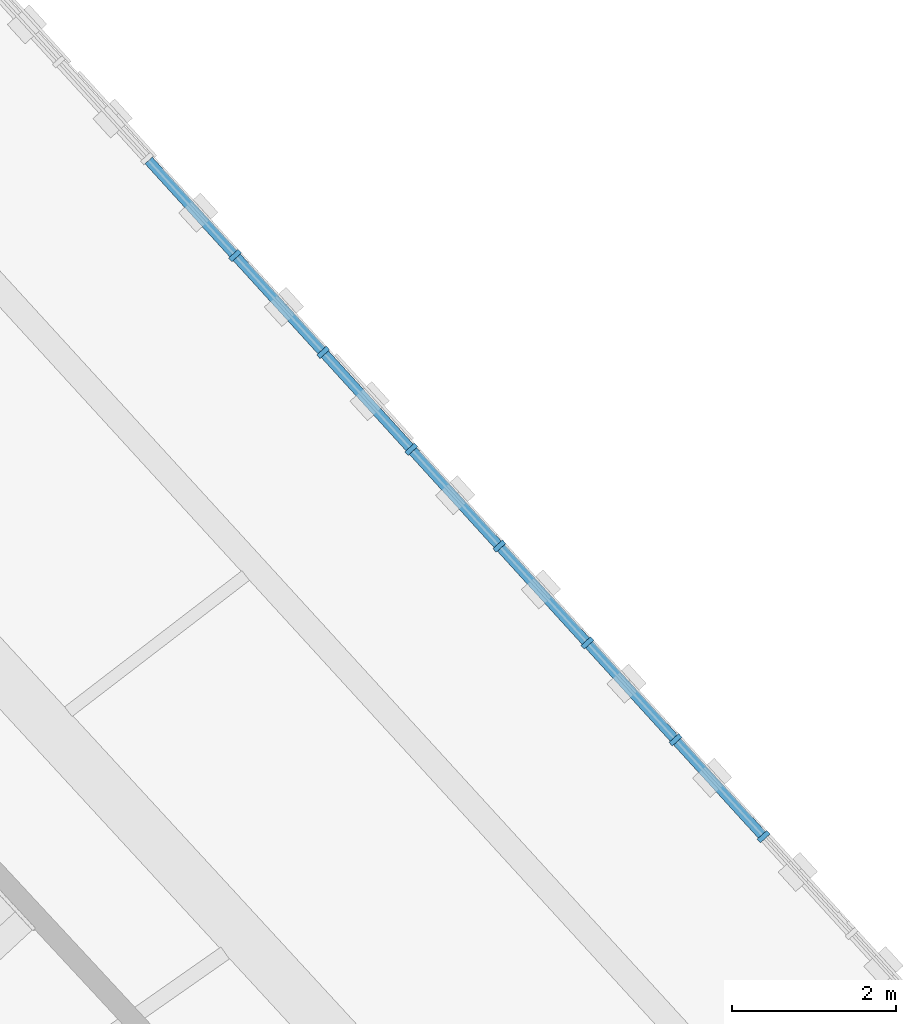
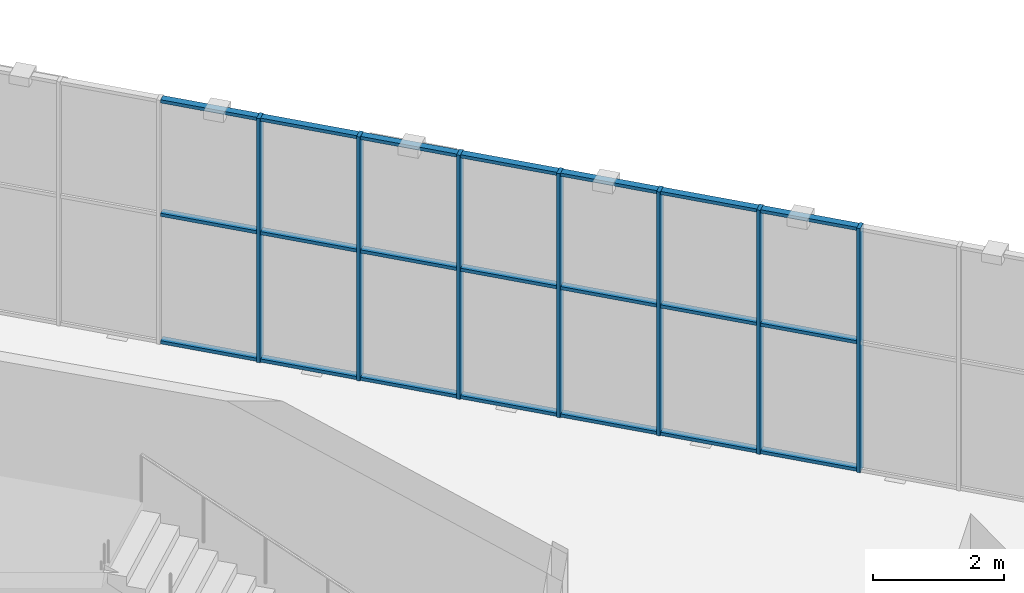
# One storey, part 60 of 152: 28 members, 1 element without a shape of its own.
"""IFC4 building model written with IfcOpenShell, lengths in metres."""

from ifc_helpers import new_model, si_unit, direction, frame, origin, origin_2d, place, context, subcontext, project, spatial, rectangle, extrude, material, material_profile, profile_set, type_object, element, aggregate, save


model = new_model("IFC4")

# Units and contexts
model_context = context("Model", 3, precision=1e-05, world=origin(), true_north=direction((0.0, 1.0)))
body_context = subcontext(model_context, "Body", "Model", "MODEL_VIEW")
ifc_project = project(units=[si_unit("LENGTHUNIT", "METRE"), si_unit("AREAUNIT", "SQUARE_METRE"), si_unit("VOLUMEUNIT", "CUBIC_METRE"), si_unit("PLANEANGLEUNIT", "RADIAN"), si_unit("MASSUNIT", "GRAM", prefix="KILO")], contexts=[model_context])

# Site, building, storey
site_placement = place(None, origin())
site = spatial("IfcSite", under=ifc_project, at=site_placement, CompositionType="ELEMENT")
building_placement = place(site_placement, origin())
building = spatial("IfcBuilding", under=site, at=building_placement, Name="Zevraka Park Crest Stadium", CompositionType="ELEMENT")
storey_placement = place(building_placement, frame((0.0, 0.0, 15.0)))
storey = spatial("IfcBuildingStorey", under=building, at=storey_placement, Name="L03", CompositionType="ELEMENT", Elevation=15.0)

# Curtain wall, members
ifc_material_1 = material(Name="Anodised architectural aluminium and laminated safety glass", Category="aluminium")
curtain_wall_type = type_object("IfcCurtainWallType", Name="CW13", PredefinedType="NOTDEFINED", material=ifc_material_1)
curtain_wall_placement = place(storey_placement, origin())
curtain_wall = element("IfcCurtainWall", 1, at=curtain_wall_placement, inside=storey, type_object=curtain_wall_type, Name="Unitised Ring Curtain Wall CW13 L03-02", PredefinedType="NOTDEFINED")
ifc_material_2 = material(Name="Anodised architectural aluminium", Category="aluminium")
ifc_material_profile_1 = material_profile(ifc_material_2, rectangle(XDim=0.159912109375, YDim=0.06005859375, at=origin_2d()), Name="ALU MULLION 160x60")
ifc_profile_set_1 = profile_set([ifc_material_profile_1], Name="Anodised architectural aluminium")
member_type_1 = type_object("IfcMemberType", Name="CM01", PredefinedType="MULLION", material=ifc_profile_set_1)
member_1_placement = place(storey_placement, frame((191.756103515625, 136.1005859375, 0.0), z_axis=(0.0, 0.0, 1.0), x_axis=(-0.739822878481, -0.672801685845, 0.0)))
member_1 = element("IfcMember", 2, at=member_1_placement, type_object=member_type_1, Name="CW13 mullion 4", PredefinedType="MULLION", context=body_context, shape_type="SweptSolid", body=[
    extrude(rectangle(XDim=0.159912109375, YDim=0.06005859375, at=origin_2d()), origin(), (0.0, 0.0, 1.0), 4.5400390625),
])
member_2_placement = place(storey_placement, frame((190.679931640625, 137.283935546875, 0.0), z_axis=(0.0, 0.0, 1.0), x_axis=(-0.739822878481, -0.672801685845, 0.0)))
member_2 = element("IfcMember", 3, at=member_2_placement, type_object=member_type_1, Name="CW13 mullion 5", PredefinedType="MULLION", context=body_context, shape_type="SweptSolid", body=[
    extrude(rectangle(XDim=0.159912109375, YDim=0.06005859375, at=origin_2d()), origin(), (0.0, 0.0, 1.0), 4.5400390625),
])
member_3_placement = place(storey_placement, frame((189.603515625, 138.467529296875, 0.0), z_axis=(0.0, 0.0, 1.0), x_axis=(-0.739822878481, -0.672801685845, 0.0)))
member_3 = element("IfcMember", 4, at=member_3_placement, type_object=member_type_1, Name="CW13 mullion 6", PredefinedType="MULLION", context=body_context, shape_type="SweptSolid", body=[
    extrude(rectangle(XDim=0.159912109375, YDim=0.06005859375, at=origin_2d()), origin(), (0.0, 0.0, 1.0), 4.5400390625),
])
member_4_placement = place(storey_placement, frame((188.52734375, 139.65087890625, 0.0), z_axis=(0.0, 0.0, 1.0), x_axis=(-0.739822878481, -0.672801685845, 0.0)))
member_4 = element("IfcMember", 5, at=member_4_placement, type_object=member_type_1, Name="CW13 mullion 7", PredefinedType="MULLION", context=body_context, shape_type="SweptSolid", body=[
    extrude(rectangle(XDim=0.159912109375, YDim=0.06005859375, at=origin_2d()), origin(), (0.0, 0.0, 1.0), 4.5400390625),
])
member_5_placement = place(storey_placement, frame((187.450927734375, 140.83447265625, 0.0), z_axis=(0.0, 0.0, 1.0), x_axis=(-0.739822878481, -0.672801685845, 0.0)))
member_5 = element("IfcMember", 6, at=member_5_placement, type_object=member_type_1, Name="CW13 mullion 8", PredefinedType="MULLION", context=body_context, shape_type="SweptSolid", body=[
    extrude(rectangle(XDim=0.159912109375, YDim=0.06005859375, at=origin_2d()), origin(), (0.0, 0.0, 1.0), 4.5400390625),
])
member_6_placement = place(storey_placement, frame((186.374755859375, 142.01806640625, 0.0), z_axis=(0.0, 0.0, 1.0), x_axis=(-0.739822878481, -0.672801685845, 0.0)))
member_6 = element("IfcMember", 7, at=member_6_placement, type_object=member_type_1, Name="CW13 mullion 9", PredefinedType="MULLION", context=body_context, shape_type="SweptSolid", body=[
    extrude(rectangle(XDim=0.159912109375, YDim=0.06005859375, at=origin_2d()), origin(), (0.0, 0.0, 1.0), 4.5400390625),
])
member_7_placement = place(storey_placement, frame((185.29833984375, 143.201416015625, 0.0), z_axis=(0.0, 0.0, 1.0), x_axis=(-0.739822878481, -0.672801685845, 0.0)))
member_7 = element("IfcMember", 8, at=member_7_placement, type_object=member_type_1, Name="CW13 mullion 10", PredefinedType="MULLION", context=body_context, shape_type="SweptSolid", body=[
    extrude(rectangle(XDim=0.159912109375, YDim=0.06005859375, at=origin_2d()), origin(), (0.0, 0.0, 1.0), 4.5400390625),
])
ifc_material_3 = material(Name="Anodised architectural aluminium", Category="aluminium")
ifc_material_profile_2 = material_profile(ifc_material_3, rectangle(XDim=0.1201171875, YDim=0.06005859375, at=origin_2d()), Name="ALU TRANSOM 120x60")
ifc_profile_set_2 = profile_set([ifc_material_profile_2], Name="Anodised architectural aluminium")
member_type_2 = type_object("IfcMemberType", Name="CT01", PredefinedType="USERDEFINED", material=ifc_profile_set_2)
member_8_placement = place(storey_placement, frame((191.73583984375, 136.122802734375, 0.030029296875), z_axis=(-0.672854315392, 0.73977501327, 0.0), x_axis=(-0.73977501327, -0.672854315392, 0.0)))
member_8 = element("IfcMember", 9, at=member_8_placement, type_object=member_type_2, Name="CW13 transom 4.1", ObjectType="TRANSOM", PredefinedType="USERDEFINED", context=body_context, shape_type="SweptSolid", body=[
    extrude(rectangle(XDim=0.1201171875, YDim=0.06005859375, at=origin_2d()), origin(), (0.0, 0.0, 1.0), 1.53955078125),
])
member_9_placement = place(storey_placement, frame((191.73583984375, 136.122802734375, 2.39990234375), z_axis=(-0.672854315392, 0.73977501327, 0.0), x_axis=(-0.73977501327, -0.672854315392, 0.0)))
member_9 = element("IfcMember", 10, at=member_9_placement, type_object=member_type_2, Name="CW13 transom 4.2", ObjectType="TRANSOM", PredefinedType="USERDEFINED", context=body_context, shape_type="SweptSolid", body=[
    extrude(rectangle(XDim=0.1201171875, YDim=0.06005859375, at=origin_2d()), origin(), (0.0, 0.0, 1.0), 1.53955078125),
])
member_10_placement = place(storey_placement, frame((191.73583984375, 136.122802734375, 4.510009765625), z_axis=(-0.672854315392, 0.73977501327, 0.0), x_axis=(-0.73977501327, -0.672854315392, 0.0)))
member_10 = element("IfcMember", 11, at=member_10_placement, type_object=member_type_2, Name="CW13 transom 4.3", ObjectType="TRANSOM", PredefinedType="USERDEFINED", context=body_context, shape_type="SweptSolid", body=[
    extrude(rectangle(XDim=0.1201171875, YDim=0.06005859375, at=origin_2d()), origin(), (0.0, 0.0, 1.0), 1.53955078125),
])
member_11_placement = place(storey_placement, frame((190.65966796875, 137.30615234375, 0.030029296875), z_axis=(-0.672775385986, 0.739846794959, 0.0), x_axis=(-0.739846794959, -0.672775385986, 0.0)))
member_11 = element("IfcMember", 12, at=member_11_placement, type_object=member_type_2, Name="CW13 transom 5.1", ObjectType="TRANSOM", PredefinedType="USERDEFINED", context=body_context, shape_type="SweptSolid", body=[
    extrude(rectangle(XDim=0.1201171875, YDim=0.06005859375, at=origin_2d()), origin(), (0.0, 0.0, 1.0), 1.539794921875),
])
member_12_placement = place(storey_placement, frame((190.65966796875, 137.30615234375, 2.39990234375), z_axis=(-0.672775385986, 0.739846794959, 0.0), x_axis=(-0.739846794959, -0.672775385986, 0.0)))
member_12 = element("IfcMember", 13, at=member_12_placement, type_object=member_type_2, Name="CW13 transom 5.2", ObjectType="TRANSOM", PredefinedType="USERDEFINED", context=body_context, shape_type="SweptSolid", body=[
    extrude(rectangle(XDim=0.1201171875, YDim=0.06005859375, at=origin_2d()), origin(), (0.0, 0.0, 1.0), 1.539794921875),
])
member_13_placement = place(storey_placement, frame((190.65966796875, 137.30615234375, 4.510009765625), z_axis=(-0.672775385986, 0.739846794959, 0.0), x_axis=(-0.739846794959, -0.672775385986, 0.0)))
member_13 = element("IfcMember", 14, at=member_13_placement, type_object=member_type_2, Name="CW13 transom 5.3", ObjectType="TRANSOM", PredefinedType="USERDEFINED", context=body_context, shape_type="SweptSolid", body=[
    extrude(rectangle(XDim=0.1201171875, YDim=0.06005859375, at=origin_2d()), origin(), (0.0, 0.0, 1.0), 1.539794921875),
])
member_14_placement = place(storey_placement, frame((189.58349609375, 138.48974609375, 0.030029296875), z_axis=(-0.672862164291, 0.739767874313, 0.0), x_axis=(-0.739767874313, -0.672862164291, 0.0)))
member_14 = element("IfcMember", 15, at=member_14_placement, type_object=member_type_2, Name="CW13 transom 6.1", ObjectType="TRANSOM", PredefinedType="USERDEFINED", context=body_context, shape_type="SweptSolid", body=[
    extrude(rectangle(XDim=0.1201171875, YDim=0.06005859375, at=origin_2d()), origin(), (0.0, 0.0, 1.0), 1.539794921875),
])
member_15_placement = place(storey_placement, frame((189.58349609375, 138.48974609375, 2.39990234375), z_axis=(-0.672862164291, 0.739767874313, 0.0), x_axis=(-0.739767874313, -0.672862164291, 0.0)))
member_15 = element("IfcMember", 16, at=member_15_placement, type_object=member_type_2, Name="CW13 transom 6.2", ObjectType="TRANSOM", PredefinedType="USERDEFINED", context=body_context, shape_type="SweptSolid", body=[
    extrude(rectangle(XDim=0.1201171875, YDim=0.06005859375, at=origin_2d()), origin(), (0.0, 0.0, 1.0), 1.539794921875),
])
member_16_placement = place(storey_placement, frame((189.58349609375, 138.48974609375, 4.510009765625), z_axis=(-0.672862164291, 0.739767874313, 0.0), x_axis=(-0.739767874313, -0.672862164291, 0.0)))
member_16 = element("IfcMember", 17, at=member_16_placement, type_object=member_type_2, Name="CW13 transom 6.3", ObjectType="TRANSOM", PredefinedType="USERDEFINED", context=body_context, shape_type="SweptSolid", body=[
    extrude(rectangle(XDim=0.1201171875, YDim=0.06005859375, at=origin_2d()), origin(), (0.0, 0.0, 1.0), 1.539794921875),
])
member_17_placement = place(storey_placement, frame((188.507080078125, 139.673095703125, 0.030029296875), z_axis=(-0.672775385986, 0.739846794959, 0.0), x_axis=(-0.739846794959, -0.672775385986, 0.0)))
member_17 = element("IfcMember", 18, at=member_17_placement, type_object=member_type_2, Name="CW13 transom 7.1", ObjectType="TRANSOM", PredefinedType="USERDEFINED", context=body_context, shape_type="SweptSolid", body=[
    extrude(rectangle(XDim=0.1201171875, YDim=0.06005859375, at=origin_2d()), origin(), (0.0, 0.0, 1.0), 1.539794921875),
])
member_18_placement = place(storey_placement, frame((188.507080078125, 139.673095703125, 2.39990234375), z_axis=(-0.672775385986, 0.739846794959, 0.0), x_axis=(-0.739846794959, -0.672775385986, 0.0)))
member_18 = element("IfcMember", 19, at=member_18_placement, type_object=member_type_2, Name="CW13 transom 7.2", ObjectType="TRANSOM", PredefinedType="USERDEFINED", context=body_context, shape_type="SweptSolid", body=[
    extrude(rectangle(XDim=0.1201171875, YDim=0.06005859375, at=origin_2d()), origin(), (0.0, 0.0, 1.0), 1.539794921875),
])
member_19_placement = place(storey_placement, frame((188.507080078125, 139.673095703125, 4.510009765625), z_axis=(-0.672775385986, 0.739846794959, 0.0), x_axis=(-0.739846794959, -0.672775385986, 0.0)))
member_19 = element("IfcMember", 20, at=member_19_placement, type_object=member_type_2, Name="CW13 transom 7.3", ObjectType="TRANSOM", PredefinedType="USERDEFINED", context=body_context, shape_type="SweptSolid", body=[
    extrude(rectangle(XDim=0.1201171875, YDim=0.06005859375, at=origin_2d()), origin(), (0.0, 0.0, 1.0), 1.539794921875),
])
member_20_placement = place(storey_placement, frame((187.430908203125, 140.856689453125, 0.030029296875), z_axis=(-0.672775385986, 0.739846794959, 0.0), x_axis=(-0.739846794959, -0.672775385986, 0.0)))
member_20 = element("IfcMember", 21, at=member_20_placement, type_object=member_type_2, Name="CW13 transom 8.1", ObjectType="TRANSOM", PredefinedType="USERDEFINED", context=body_context, shape_type="SweptSolid", body=[
    extrude(rectangle(XDim=0.1201171875, YDim=0.06005859375, at=origin_2d()), origin(), (0.0, 0.0, 1.0), 1.539794921875),
])
member_21_placement = place(storey_placement, frame((187.430908203125, 140.856689453125, 2.39990234375), z_axis=(-0.672775385986, 0.739846794959, 0.0), x_axis=(-0.739846794959, -0.672775385986, 0.0)))
member_21 = element("IfcMember", 22, at=member_21_placement, type_object=member_type_2, Name="CW13 transom 8.2", ObjectType="TRANSOM", PredefinedType="USERDEFINED", context=body_context, shape_type="SweptSolid", body=[
    extrude(rectangle(XDim=0.1201171875, YDim=0.06005859375, at=origin_2d()), origin(), (0.0, 0.0, 1.0), 1.539794921875),
])
member_22_placement = place(storey_placement, frame((187.430908203125, 140.856689453125, 4.510009765625), z_axis=(-0.672775385986, 0.739846794959, 0.0), x_axis=(-0.739846794959, -0.672775385986, 0.0)))
member_22 = element("IfcMember", 23, at=member_22_placement, type_object=member_type_2, Name="CW13 transom 8.3", ObjectType="TRANSOM", PredefinedType="USERDEFINED", context=body_context, shape_type="SweptSolid", body=[
    extrude(rectangle(XDim=0.1201171875, YDim=0.06005859375, at=origin_2d()), origin(), (0.0, 0.0, 1.0), 1.539794921875),
])
member_23_placement = place(storey_placement, frame((186.3544921875, 142.040283203125, 0.030029296875), z_axis=(-0.672854315392, 0.73977501327, 0.0), x_axis=(-0.73977501327, -0.672854315392, 0.0)))
member_23 = element("IfcMember", 24, at=member_23_placement, type_object=member_type_2, Name="CW13 transom 9.1", ObjectType="TRANSOM", PredefinedType="USERDEFINED", context=body_context, shape_type="SweptSolid", body=[
    extrude(rectangle(XDim=0.1201171875, YDim=0.06005859375, at=origin_2d()), origin(), (0.0, 0.0, 1.0), 1.53955078125),
])
member_24_placement = place(storey_placement, frame((186.3544921875, 142.040283203125, 2.39990234375), z_axis=(-0.672854315392, 0.73977501327, 0.0), x_axis=(-0.73977501327, -0.672854315392, 0.0)))
member_24 = element("IfcMember", 25, at=member_24_placement, type_object=member_type_2, Name="CW13 transom 9.2", ObjectType="TRANSOM", PredefinedType="USERDEFINED", context=body_context, shape_type="SweptSolid", body=[
    extrude(rectangle(XDim=0.1201171875, YDim=0.06005859375, at=origin_2d()), origin(), (0.0, 0.0, 1.0), 1.53955078125),
])
member_25_placement = place(storey_placement, frame((186.3544921875, 142.040283203125, 4.510009765625), z_axis=(-0.672854315392, 0.73977501327, 0.0), x_axis=(-0.73977501327, -0.672854315392, 0.0)))
member_25 = element("IfcMember", 26, at=member_25_placement, type_object=member_type_2, Name="CW13 transom 9.3", ObjectType="TRANSOM", PredefinedType="USERDEFINED", context=body_context, shape_type="SweptSolid", body=[
    extrude(rectangle(XDim=0.1201171875, YDim=0.06005859375, at=origin_2d()), origin(), (0.0, 0.0, 1.0), 1.53955078125),
])
member_26_placement = place(storey_placement, frame((185.2783203125, 143.2236328125, 0.030029296875), z_axis=(-0.672775385986, 0.739846794959, 0.0), x_axis=(-0.739846794959, -0.672775385986, 0.0)))
member_26 = element("IfcMember", 27, at=member_26_placement, type_object=member_type_2, Name="CW13 transom 10.1", ObjectType="TRANSOM", PredefinedType="USERDEFINED", context=body_context, shape_type="SweptSolid", body=[
    extrude(rectangle(XDim=0.1201171875, YDim=0.06005859375, at=origin_2d()), origin(), (0.0, 0.0, 1.0), 1.539794921875),
])
member_27_placement = place(storey_placement, frame((185.2783203125, 143.2236328125, 2.39990234375), z_axis=(-0.672775385986, 0.739846794959, 0.0), x_axis=(-0.739846794959, -0.672775385986, 0.0)))
member_27 = element("IfcMember", 28, at=member_27_placement, type_object=member_type_2, Name="CW13 transom 10.2", ObjectType="TRANSOM", PredefinedType="USERDEFINED", context=body_context, shape_type="SweptSolid", body=[
    extrude(rectangle(XDim=0.1201171875, YDim=0.06005859375, at=origin_2d()), origin(), (0.0, 0.0, 1.0), 1.539794921875),
])
member_28_placement = place(storey_placement, frame((185.2783203125, 143.2236328125, 4.510009765625), z_axis=(-0.672775385986, 0.739846794959, 0.0), x_axis=(-0.739846794959, -0.672775385986, 0.0)))
member_28 = element("IfcMember", 29, at=member_28_placement, type_object=member_type_2, Name="CW13 transom 10.3", ObjectType="TRANSOM", PredefinedType="USERDEFINED", context=body_context, shape_type="SweptSolid", body=[
    extrude(rectangle(XDim=0.1201171875, YDim=0.06005859375, at=origin_2d()), origin(), (0.0, 0.0, 1.0), 1.539794921875),
])
aggregate(curtain_wall, [member_1, member_2, member_3, member_4, member_5, member_6, member_7, member_8, member_9, member_10, member_11, member_12, member_13, member_14, member_15, member_16, member_17, member_18, member_19, member_20, member_21, member_22, member_23, member_24, member_25, member_26, member_27, member_28])

save(model, "model.ifc")
